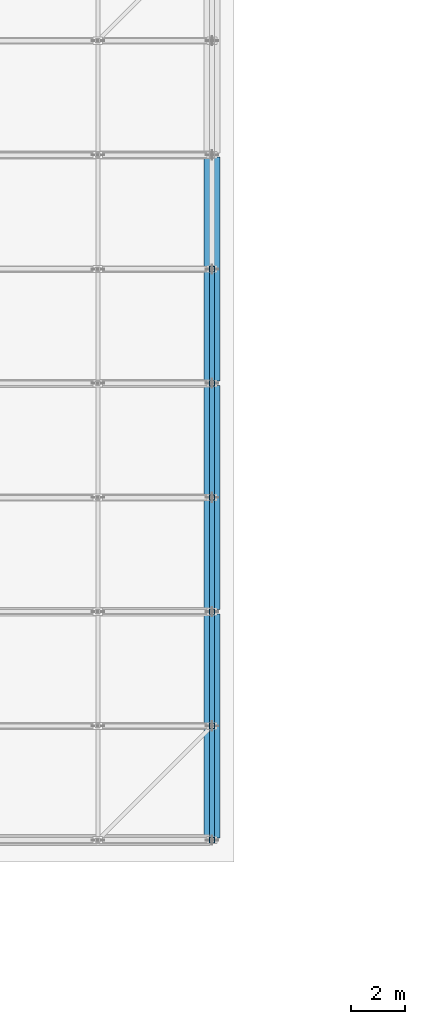
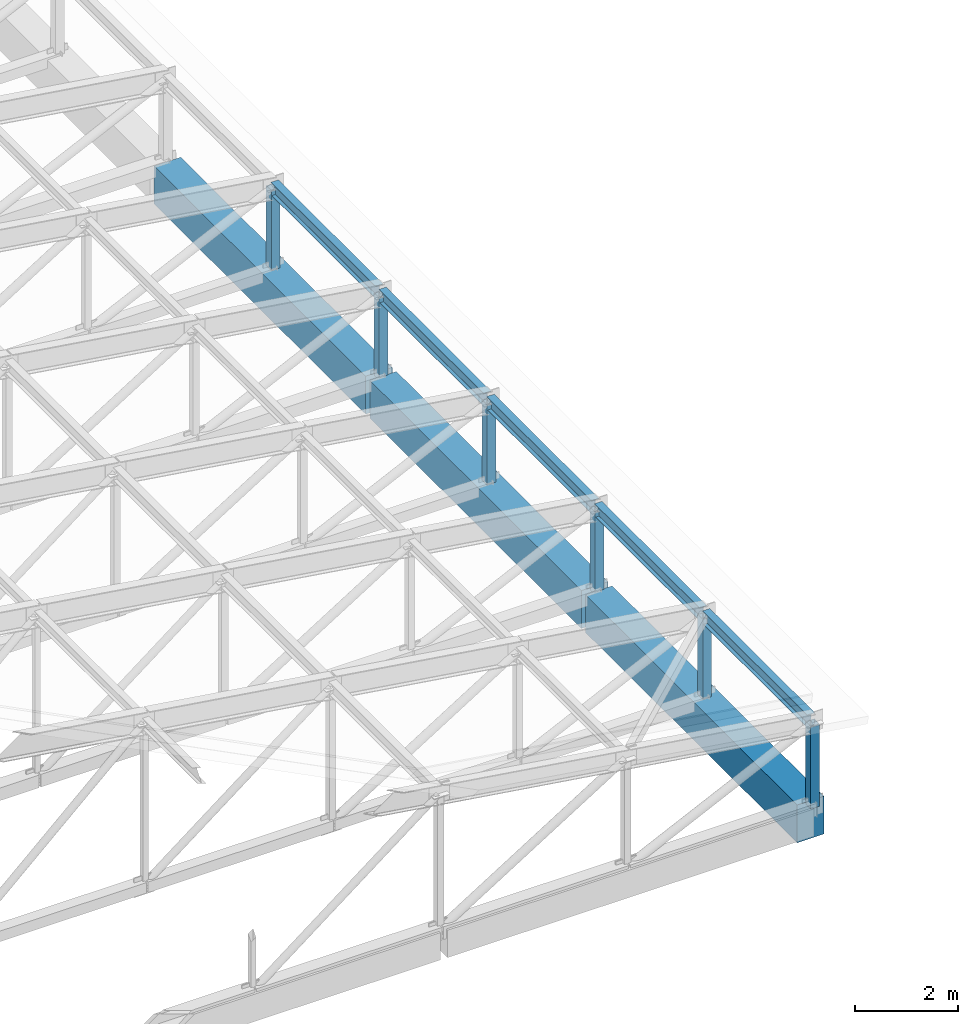
# One storey, part 34 of 122: 11 members, 3 beams.
"""IFC4 building model written with IfcOpenShell, lengths in metres."""

from ifc_helpers import new_model, si_unit, direction, frame, origin, origin_2d, place, context, subcontext, project, spatial, rectangle, hollow_rectangle, i_section, extrude, material, material_profile, profile_set, type_object, element, save


model = new_model("IFC4")

# Units and contexts
model_context = context("Model", 3, precision=1e-05, world=origin(), true_north=direction((0.0, 1.0)))
body_context = subcontext(model_context, "Body", "Model", "MODEL_VIEW")
ifc_project = project(units=[si_unit("LENGTHUNIT", "METRE"), si_unit("AREAUNIT", "SQUARE_METRE"), si_unit("VOLUMEUNIT", "CUBIC_METRE"), si_unit("PLANEANGLEUNIT", "RADIAN"), si_unit("MASSUNIT", "GRAM", prefix="KILO")], contexts=[model_context])

# Site, building, storey
site_placement = place(None, origin())
site = spatial("IfcSite", under=ifc_project, at=site_placement, CompositionType="ELEMENT")
building_placement = place(site_placement, origin())
building = spatial("IfcBuilding", under=site, at=building_placement, Name="Telukmera Botanical Conservatory", CompositionType="ELEMENT")
storey_placement = place(building_placement, frame((0.0, 0.0, 10.199951171875)))
storey = spatial("IfcBuildingStorey", under=building, at=storey_placement, Name="L02", CompositionType="ELEMENT", Elevation=10.199951171875)

# Beams
ifc_material_1 = material(Name="Concrete C40/50", Category="concrete")
ifc_material_profile_1 = material_profile(ifc_material_1, rectangle(XDim=0.60009765625, YDim=0.89990234375, at=origin_2d()), Name="RC 600x900")
ifc_profile_set_1 = profile_set([ifc_material_profile_1], Name="Concrete C40/50")
beam_type = type_object("IfcBeamType", Name="Beam_B3", PredefinedType="BEAM", material=ifc_profile_set_1)
for number, where, z_axis, x_axis, name in (
    (1, (42.0, 83.280029296875, -0.449951171875), (0.0, 1.0, 0.0), (-1.0, 0.0, 0.0), "Auditorium Frame Beam beam:V2:L02:eave:420:832"),
    (2, (42.0, 91.679931640625, -0.449951171875), (0.0, 1.0, 0.0), (-1.0, 0.0, 0.0), "Auditorium Frame Beam beam:V2:L02:eave:420:916"),
    (3, (42.0, 100.080078125, -0.449951171875), (0.0, 1.0, 0.0), (-1.0, 0.0, 0.0), "Auditorium Frame Beam beam:V2:L02:eave:420:1000"),
):
    element("IfcBeam", number, at=place(storey_placement, frame(where, z_axis=z_axis, x_axis=x_axis)), inside=storey, type_object=beam_type, Name=name, PredefinedType="BEAM", context=body_context, shape_type="SweptSolid", body=[
        extrude(rectangle(XDim=0.60009765625, YDim=0.89990234375, at=origin_2d()), origin(), (0.0, 0.0, 1.0), 8.239990234375),
    ])

# Members
ifc_material_2 = material(Name="Steel S355", Category="steel")
ifc_material_profile_2 = material_profile(ifc_material_2, i_section(OverallWidth=0.165771484375, OverallDepth=0.306640625, WebThickness=0.006591796875, FlangeThickness=0.01171875, FilletRadius=0.0087890625, at=origin_2d()), Name="UB 305x165x46")
ifc_profile_set_2 = profile_set([ifc_material_profile_2], Name="Steel S355")
member_type_1 = type_object("IfcMemberType", Name="Mem_TPB1", PredefinedType="PURLIN", material=ifc_profile_set_2)
for number, where, z_axis, x_axis, name in (
    (4, (42.0, 83.260009765625, 1.920166015625), (0.0, 1.0, 0.0), (-1.0, 0.0, 0.0), "Auditorium Roof Steel Purlin P1-8"),
    (5, (42.0, 87.4599609375, 1.920166015625), (0.0, 1.0, 0.0), (-1.0, 0.0, 0.0), "Auditorium Roof Steel Purlin P2-8"),
    (6, (42.0, 91.659912109375, 1.920166015625), (0.0, 1.0, 0.0), (-1.0, 0.0, 0.0), "Auditorium Roof Steel Purlin P3-8"),
):
    element("IfcMember", number, at=place(storey_placement, frame(where, z_axis=z_axis, x_axis=x_axis)), inside=storey, type_object=member_type_1, Name=name, PredefinedType="PURLIN", context=body_context, shape_type="SweptSolid", body=[
        extrude(i_section(OverallWidth=0.165771484375, OverallDepth=0.306640625, WebThickness=0.006591796875, FlangeThickness=0.01171875, FilletRadius=0.0087890625, at=origin_2d()), origin(), (0.0, 0.0, 1.0), 4.080078125),
    ])
for number, where, z_axis, x_axis, name in (
    (7, (42.0, 95.860107421875, 1.920166015625), (0.0, 1.0, 0.0), (-1.0, 0.0, 0.0), "Auditorium Roof Steel Purlin P4-8"),
    (8, (42.0, 100.06005859375, 1.920166015625), (0.0, 1.0, 0.0), (-1.0, 0.0, 0.0), "Auditorium Roof Steel Purlin P5-8"),
):
    element("IfcMember", number, at=place(storey_placement, frame(where, z_axis=z_axis, x_axis=x_axis)), inside=storey, type_object=member_type_1, Name=name, PredefinedType="PURLIN", context=body_context, shape_type="SweptSolid", body=[
        extrude(i_section(OverallWidth=0.165771484375, OverallDepth=0.306640625, WebThickness=0.006591796875, FlangeThickness=0.01171875, FilletRadius=0.0087890625, at=origin_2d()), origin(), (0.0, 0.0, 1.0), 4.079833984375),
    ])
ifc_material_profile_3 = material_profile(ifc_material_2, hollow_rectangle(XDim=0.199951171875, YDim=0.199951171875, WallThickness=0.010009765625, at=origin_2d()), Name="SHS 200x200x10.0")
ifc_profile_set_3 = profile_set([ifc_material_profile_3], Name="Steel S355")
member_type_2 = type_object("IfcMemberType", Name="Mem_TV1", PredefinedType="POST", material=ifc_profile_set_3)
for number, where, z_axis, x_axis, name in (
    (9, (42.0, 83.199951171875, -0.06005859375), (0.0, 0.0, 1.0), (1.0, 0.0, 0.0), "Auditorium Pratt Truss Vertical T1-V8"),
    (10, (42.0, 87.39990234375, -0.06005859375), (0.0, 0.0, 1.0), (1.0, 0.0, 0.0), "Auditorium Pratt Truss Vertical T2-V8"),
    (11, (42.0, 91.60009765625, -0.06005859375), (0.0, 0.0, 1.0), (1.0, 0.0, 0.0), "Auditorium Pratt Truss Vertical T3-V8"),
    (12, (42.0, 95.800048828125, -0.06005859375), (0.0, 0.0, 1.0), (1.0, 0.0, 0.0), "Auditorium Pratt Truss Vertical T4-V8"),
    (13, (42.0, 100.0, -0.06005859375), (0.0, 0.0, 1.0), (1.0, 0.0, 0.0), "Auditorium Pratt Truss Vertical T5-V8"),
    (14, (42.0, 104.199951171875, -0.06005859375), (0.0, 0.0, 1.0), (1.0, 0.0, 0.0), "Auditorium Pratt Truss Vertical T6-V8"),
):
    element("IfcMember", number, at=place(storey_placement, frame(where, z_axis=z_axis, x_axis=x_axis)), inside=storey, type_object=member_type_2, Name=name, PredefinedType="POST", context=body_context, shape_type="SweptSolid", body=[
        extrude(hollow_rectangle(XDim=0.199951171875, YDim=0.199951171875, WallThickness=0.010009765625, at=origin_2d()), origin(), (0.0, 0.0, 1.0), 1.960205078125),
    ])

save(model, "model.ifc")
